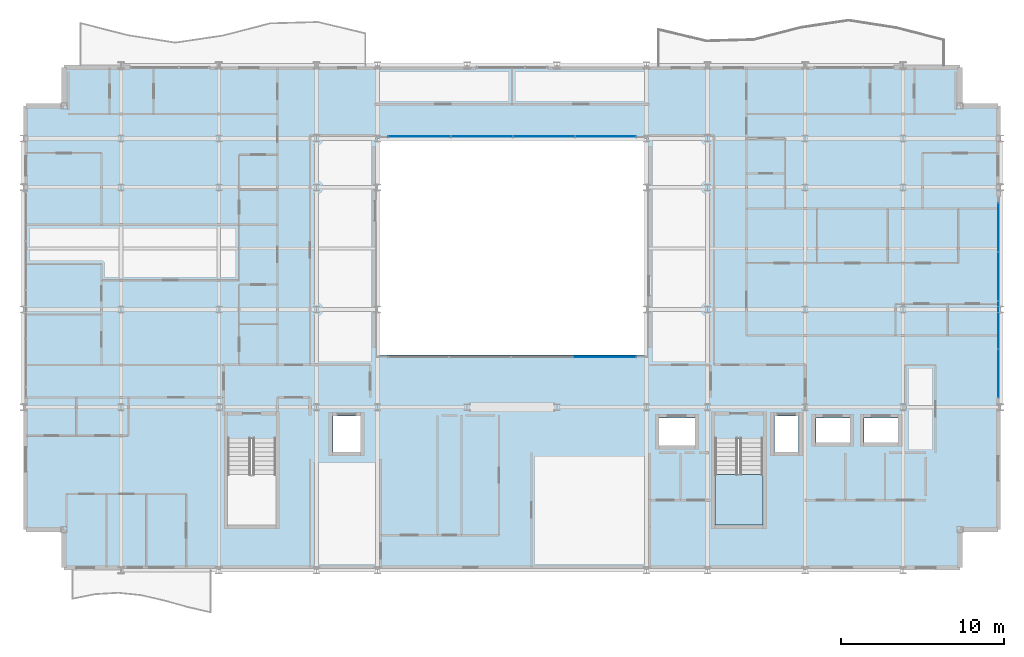
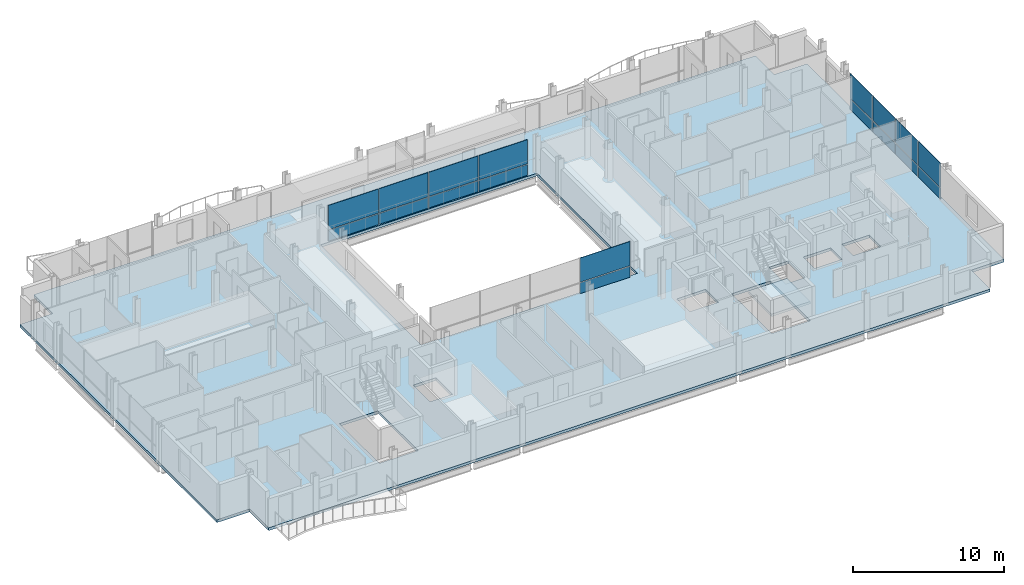
# One storey, part 29 of 41: 18 plates, 2 slabs, 4 elements without a shape of their own.
"""IFC4 building model written with IfcOpenShell, lengths in metres."""

from ifc_helpers import new_model, si_unit, direction, frame, origin, origin_2d, place, context, subcontext, project, spatial, polyline, rectangle, outline, extrude, material, layer, layer_set, type_object, element, aggregate, save


model = new_model("IFC4")

# Units and contexts
model_context = context("Model", 3, precision=1e-05, world=origin(), true_north=direction((0.0, 1.0)))
body_context = subcontext(model_context, "Body", "Model", "MODEL_VIEW")
ifc_project = project(units=[si_unit("LENGTHUNIT", "METRE"), si_unit("AREAUNIT", "SQUARE_METRE"), si_unit("VOLUMEUNIT", "CUBIC_METRE"), si_unit("PLANEANGLEUNIT", "RADIAN"), si_unit("MASSUNIT", "GRAM", prefix="KILO")], contexts=[model_context])

# Site, building, storey
site_placement = place(None, origin())
site = spatial("IfcSite", under=ifc_project, at=site_placement, CompositionType="ELEMENT")
building_placement = place(site_placement, origin())
building = spatial("IfcBuilding", under=site, at=building_placement, Name="Brevholm Reach", CompositionType="ELEMENT")
storey_placement = place(building_placement, frame((0.0, 0.0, 157.300048828125)))
storey = spatial("IfcBuildingStorey", under=building, at=storey_placement, Name="L47", CompositionType="ELEMENT", Elevation=157.300048828125)

# Curtain wall, plates
ifc_material_1 = material(Name="Dark Anodised Aluminium 6063-T6 and Solar-Control Glass", Category="aluminium")
ifc_layer_1 = layer(ifc_material_1, 0.14990234375)
ifc_layer_set_1 = layer_set([ifc_layer_1], Name="Dark Anodised Aluminium 6063-T6 and Solar-Control Glass")
curtain_wall_type_1 = type_object("IfcCurtainWallType", Name="CW-01", PredefinedType="NOTDEFINED", material=ifc_layer_set_1)
curtain_wall_1_placement = place(storey_placement, origin())
curtain_wall_1 = element("IfcCurtainWall", 1, at=curtain_wall_1_placement, inside=storey, type_object=curtain_wall_type_1, Name="L47 Curtain Wall CW-01", PredefinedType="NOTDEFINED")
ifc_material_2 = material(Name="Dark Solar-Control Double-Glazed IGU Glass", Category="glass")
ifc_layer_2 = layer(ifc_material_2, 0.028076171875)
ifc_layer_set_2 = layer_set([ifc_layer_2], Name="Dark Solar-Control Double-Glazed IGU Glass")
plate_type_1 = type_object("IfcPlateType", Name="CWP-GLZ-28", PredefinedType="CURTAIN_PANEL", material=ifc_layer_set_2)
plate_1_placement = place(storey_placement, frame((59.85009765625, 12.066162109375, 0.0), z_axis=(0.0, 0.0, 1.0), x_axis=(0.0, 1.0, 0.0)))
plate_1 = element("IfcPlate", 2, at=plate_1_placement, type_object=plate_type_1, Name="CP-01 Glazing Panel 1.1", PredefinedType="CURTAIN_PANEL", context=body_context, shape_type="SweptSolid", body=[
    extrude(rectangle(XDim=2.902587890625, YDim=0.028076171875, at=origin_2d()), origin(), (0.0, 0.0, 1.0), 0.867431640625),
])
plate_2_placement = place(storey_placement, frame((59.85009765625, 12.066162109375, 0.9326171875), z_axis=(0.0, 0.0, 1.0), x_axis=(0.0, 1.0, 0.0)))
plate_2 = element("IfcPlate", 3, at=plate_2_placement, type_object=plate_type_1, Name="CP-01 Glazing Panel 1.2", PredefinedType="CURTAIN_PANEL", context=body_context, shape_type="SweptSolid", body=[
    extrude(rectangle(XDim=2.902587890625, YDim=0.028076171875, at=origin_2d()), origin(), (0.0, 0.0, 1.0), 1.947509765625),
])
plate_3_placement = place(storey_placement, frame((59.85009765625, 15.050048828125, 0.0), z_axis=(0.0, 0.0, 1.0), x_axis=(0.0, 1.0, 0.0)))
plate_3 = element("IfcPlate", 4, at=plate_3_placement, type_object=plate_type_1, Name="CP-01 Glazing Panel 2.1", PredefinedType="CURTAIN_PANEL", context=body_context, shape_type="SweptSolid", body=[
    extrude(rectangle(XDim=2.93505859375, YDim=0.028076171875, at=origin_2d()), origin(), (0.0, 0.0, 1.0), 0.867431640625),
])
plate_4_placement = place(storey_placement, frame((59.85009765625, 15.050048828125, 0.9326171875), z_axis=(0.0, 0.0, 1.0), x_axis=(0.0, 1.0, 0.0)))
plate_4 = element("IfcPlate", 5, at=plate_4_placement, type_object=plate_type_1, Name="CP-01 Glazing Panel 2.2", PredefinedType="CURTAIN_PANEL", context=body_context, shape_type="SweptSolid", body=[
    extrude(rectangle(XDim=2.93505859375, YDim=0.028076171875, at=origin_2d()), origin(), (0.0, 0.0, 1.0), 1.947509765625),
])
plate_5_placement = place(storey_placement, frame((59.85009765625, 18.050048828125, 0.0), z_axis=(0.0, 0.0, 1.0), x_axis=(0.0, 1.0, 0.0)))
plate_5 = element("IfcPlate", 6, at=plate_5_placement, type_object=plate_type_1, Name="CP-01 Glazing Panel 3.1", PredefinedType="CURTAIN_PANEL", context=body_context, shape_type="SweptSolid", body=[
    extrude(rectangle(XDim=2.93505859375, YDim=0.028076171875, at=origin_2d()), origin(), (0.0, 0.0, 1.0), 0.867431640625),
])
plate_6_placement = place(storey_placement, frame((59.85009765625, 18.050048828125, 0.9326171875), z_axis=(0.0, 0.0, 1.0), x_axis=(0.0, 1.0, 0.0)))
plate_6 = element("IfcPlate", 7, at=plate_6_placement, type_object=plate_type_1, Name="CP-01 Glazing Panel 3.2", PredefinedType="CURTAIN_PANEL", context=body_context, shape_type="SweptSolid", body=[
    extrude(rectangle(XDim=2.93505859375, YDim=0.028076171875, at=origin_2d()), origin(), (0.0, 0.0, 1.0), 1.947509765625),
])
plate_7_placement = place(storey_placement, frame((59.85009765625, 21.050048828125, 0.0), z_axis=(0.0, 0.0, 1.0), x_axis=(0.0, 1.0, 0.0)))
plate_7 = element("IfcPlate", 8, at=plate_7_placement, type_object=plate_type_1, Name="CP-01 Glazing Panel 4.1", PredefinedType="CURTAIN_PANEL", context=body_context, shape_type="SweptSolid", body=[
    extrude(rectangle(XDim=2.93505859375, YDim=0.028076171875, at=origin_2d()), origin(), (0.0, 0.0, 1.0), 0.867431640625),
])
plate_8_placement = place(storey_placement, frame((59.85009765625, 21.050048828125, 0.9326171875), z_axis=(0.0, 0.0, 1.0), x_axis=(0.0, 1.0, 0.0)))
plate_8 = element("IfcPlate", 9, at=plate_8_placement, type_object=plate_type_1, Name="CP-01 Glazing Panel 4.2", PredefinedType="CURTAIN_PANEL", context=body_context, shape_type="SweptSolid", body=[
    extrude(rectangle(XDim=2.93505859375, YDim=0.028076171875, at=origin_2d()), origin(), (0.0, 0.0, 1.0), 1.947509765625),
])
aggregate(curtain_wall_1, [plate_1, plate_2, plate_3, plate_4, plate_5, plate_6, plate_7, plate_8])

ifc_material_3 = material(Name="Dark Anodised Aluminium 6063-T6 and Solar-Control Glass", Category="aluminium")
ifc_layer_3 = layer(ifc_material_3, 0.139892578125)
ifc_layer_set_3 = layer_set([ifc_layer_3], Name="Dark Anodised Aluminium 6063-T6 and Solar-Control Glass")
curtain_wall_type_2 = type_object("IfcCurtainWallType", Name="CW-02", PredefinedType="NOTDEFINED", material=ifc_layer_set_3)
curtain_wall_2_placement = place(storey_placement, origin())
curtain_wall_2 = element("IfcCurtainWall", 10, at=curtain_wall_2_placement, inside=storey, type_object=curtain_wall_type_2, Name="L47 Curtain Wall CW-02", PredefinedType="NOTDEFINED")
ifc_material_4 = material(Name="Low-Iron Laminated Acoustic Glass", Category="glass")
ifc_layer_4 = layer(ifc_material_4, 0.035888671875)
ifc_layer_set_4 = layer_set([ifc_layer_4], Name="Low-Iron Laminated Acoustic Glass")
plate_type_2 = type_object("IfcPlateType", Name="CWP-GLZ-36", PredefinedType="CURTAIN_PANEL", material=ifc_layer_set_4)
plate_9_placement = place(storey_placement, frame((35.68505859375, 13.080078125, 0.0), z_axis=(0.0, 0.0, 1.0), x_axis=(1.0, 0.0, 0.0)))
plate_9 = element("IfcPlate", 11, at=plate_9_placement, type_object=plate_type_2, Name="CP-02 Glazing Panel 4.1", PredefinedType="CURTAIN_PANEL", context=body_context, shape_type="SweptSolid", body=[
    extrude(rectangle(XDim=3.81005859375, YDim=0.035888671875, at=origin_2d()), origin(), (0.0, 0.0, 1.0), 0.8701171875),
])
plate_10_placement = place(storey_placement, frame((35.68505859375, 13.080078125, 0.93017578125), z_axis=(0.0, 0.0, 1.0), x_axis=(1.0, 0.0, 0.0)))
plate_10 = element("IfcPlate", 12, at=plate_10_placement, type_object=plate_type_2, Name="CP-02 Glazing Panel 4.2", PredefinedType="CURTAIN_PANEL", context=body_context, shape_type="SweptSolid", body=[
    extrude(rectangle(XDim=3.81005859375, YDim=0.035888671875, at=origin_2d()), origin(), (0.0, 0.0, 1.0), 1.949951171875),
])
aggregate(curtain_wall_2, [plate_9, plate_10])

curtain_wall_3_placement = place(storey_placement, origin())
curtain_wall_3 = element("IfcCurtainWall", 13, at=curtain_wall_3_placement, inside=storey, type_object=curtain_wall_type_2, Name="L47 Curtain Wall CW-02", PredefinedType="NOTDEFINED")
plate_11_placement = place(storey_placement, frame((35.735107421875, 26.6201171875, 0.0), z_axis=(0.0, 0.0, 1.0), x_axis=(-1.0, 0.0, 0.0)))
plate_11 = element("IfcPlate", 14, at=plate_11_placement, type_object=plate_type_2, Name="CP-02 Glazing Panel 1.1", PredefinedType="CURTAIN_PANEL", context=body_context, shape_type="SweptSolid", body=[
    extrude(rectangle(XDim=3.7099609375, YDim=0.035888671875, at=origin_2d()), origin(), (0.0, 0.0, 1.0), 0.8701171875),
])
plate_12_placement = place(storey_placement, frame((35.735107421875, 26.6201171875, 0.93017578125), z_axis=(0.0, 0.0, 1.0), x_axis=(-1.0, 0.0, 0.0)))
plate_12 = element("IfcPlate", 15, at=plate_12_placement, type_object=plate_type_2, Name="CP-02 Glazing Panel 1.2", PredefinedType="CURTAIN_PANEL", context=body_context, shape_type="SweptSolid", body=[
    extrude(rectangle(XDim=3.7099609375, YDim=0.035888671875, at=origin_2d()), origin(), (0.0, 0.0, 1.0), 1.949951171875),
])
plate_13_placement = place(storey_placement, frame((31.949951171875, 26.6201171875, 0.0), z_axis=(0.0, 0.0, 1.0), x_axis=(-1.0, 0.0, 0.0)))
plate_13 = element("IfcPlate", 16, at=plate_13_placement, type_object=plate_type_2, Name="CP-02 Glazing Panel 2.1", PredefinedType="CURTAIN_PANEL", context=body_context, shape_type="SweptSolid", body=[
    extrude(rectangle(XDim=3.739990234375, YDim=0.035888671875, at=origin_2d()), origin(), (0.0, 0.0, 1.0), 0.8701171875),
])
plate_14_placement = place(storey_placement, frame((31.949951171875, 26.6201171875, 0.93017578125), z_axis=(0.0, 0.0, 1.0), x_axis=(-1.0, 0.0, 0.0)))
plate_14 = element("IfcPlate", 17, at=plate_14_placement, type_object=plate_type_2, Name="CP-02 Glazing Panel 2.2", PredefinedType="CURTAIN_PANEL", context=body_context, shape_type="SweptSolid", body=[
    extrude(rectangle(XDim=3.739990234375, YDim=0.035888671875, at=origin_2d()), origin(), (0.0, 0.0, 1.0), 1.949951171875),
])
plate_15_placement = place(storey_placement, frame((28.14990234375, 26.6201171875, 0.0), z_axis=(0.0, 0.0, 1.0), x_axis=(-1.0, 0.0, 0.0)))
plate_15 = element("IfcPlate", 18, at=plate_15_placement, type_object=plate_type_2, Name="CP-02 Glazing Panel 3.1", PredefinedType="CURTAIN_PANEL", context=body_context, shape_type="SweptSolid", body=[
    extrude(rectangle(XDim=3.739990234375, YDim=0.035888671875, at=origin_2d()), origin(), (0.0, 0.0, 1.0), 0.8701171875),
])
plate_16_placement = place(storey_placement, frame((28.14990234375, 26.6201171875, 0.93017578125), z_axis=(0.0, 0.0, 1.0), x_axis=(-1.0, 0.0, 0.0)))
plate_16 = element("IfcPlate", 19, at=plate_16_placement, type_object=plate_type_2, Name="CP-02 Glazing Panel 3.2", PredefinedType="CURTAIN_PANEL", context=body_context, shape_type="SweptSolid", body=[
    extrude(rectangle(XDim=3.739990234375, YDim=0.035888671875, at=origin_2d()), origin(), (0.0, 0.0, 1.0), 1.949951171875),
])
plate_17_placement = place(storey_placement, frame((24.31494140625, 26.6201171875, 0.0), z_axis=(0.0, 0.0, 1.0), x_axis=(-1.0, 0.0, 0.0)))
plate_17 = element("IfcPlate", 20, at=plate_17_placement, type_object=plate_type_2, Name="CP-02 Glazing Panel 4.1", PredefinedType="CURTAIN_PANEL", context=body_context, shape_type="SweptSolid", body=[
    extrude(rectangle(XDim=3.81005859375, YDim=0.035888671875, at=origin_2d()), origin(), (0.0, 0.0, 1.0), 0.8701171875),
])
plate_18_placement = place(storey_placement, frame((24.31494140625, 26.6201171875, 0.93017578125), z_axis=(0.0, 0.0, 1.0), x_axis=(-1.0, 0.0, 0.0)))
plate_18 = element("IfcPlate", 21, at=plate_18_placement, type_object=plate_type_2, Name="CP-02 Glazing Panel 4.2", PredefinedType="CURTAIN_PANEL", context=body_context, shape_type="SweptSolid", body=[
    extrude(rectangle(XDim=3.81005859375, YDim=0.035888671875, at=origin_2d()), origin(), (0.0, 0.0, 1.0), 1.949951171875),
])
aggregate(curtain_wall_3, [plate_11, plate_12, plate_13, plate_14, plate_15, plate_16, plate_17, plate_18])

# Slab
ifc_material_5 = material(Name="Concrete C40/50", Category="concrete")
ifc_layer_5 = layer(ifc_material_5, 0.219970703125)
ifc_layer_set_5 = layer_set([ifc_layer_5], Name="Concrete C40/50")
slab_type_1 = type_object("IfcSlabType", Name="SLB-FL-220", PredefinedType="FLOOR", material=ifc_layer_set_5)
slab_1_placement = place(storey_placement, frame((0.0, 0.0, -0.219970703125)))
element("IfcSlab", 22, at=slab_1_placement, inside=storey, type_object=slab_type_1, Name="L47 Suspended Floor Slab (main)", PredefinedType="FLOOR", context=body_context, shape_type="SweptSolid", body=[
    extrude(outline(polyline([(2.5, 0.0), (57.5, 0.0), (57.5, 2.5), (60.0, 2.5), (60.0, 28.5), (57.5, 28.5), (57.5, 31.0), (2.5, 31.0), (2.5, 28.5), (0.0, 28.5), (0.0, 2.5), (2.5, 2.5), (2.5, 0.0)]), holes=[polyline([(21.75, 13.199951171875), (38.25, 13.199951171875), (38.25, 26.5), (21.75, 26.5), (21.75, 13.199951171875)]), polyline([(12.550048828125, 2.780029296875), (15.5, 2.780029296875), (15.5, 8.044921875), (12.550048828125, 8.044921875), (12.550048828125, 2.780029296875)]), polyline([(42.449951171875, 2.780029296875), (45.39990234375, 2.780029296875), (45.39990234375, 8.044921875), (42.449951171875, 8.044921875), (42.449951171875, 2.780029296875)]), polyline([(19.0, 7.25), (20.699951171875, 7.25), (20.699951171875, 9.449951171875), (19.0, 9.449951171875), (19.0, 7.25)]), polyline([(46.10009765625, 7.25), (47.60009765625, 7.25), (47.60009765625, 9.449951171875), (46.10009765625, 9.449951171875), (46.10009765625, 7.25)]), polyline([(39.02001953125, 7.64990234375), (41.219970703125, 7.64990234375), (41.219970703125, 9.35009765625), (39.02001953125, 9.35009765625), (39.02001953125, 7.64990234375)]), polyline([(48.64990234375, 7.85009765625), (50.75, 7.85009765625), (50.75, 9.35009765625), (48.64990234375, 9.35009765625), (48.64990234375, 7.85009765625)]), polyline([(51.60009765625, 7.85009765625), (53.699951171875, 7.85009765625), (53.699951171875, 9.35009765625), (51.60009765625, 9.35009765625), (51.60009765625, 7.85009765625)])]), origin(), (0.0, 0.0, 1.0), 0.219970703125),
])

# Stair, slab
ifc_material_6 = material(Name="Precast Concrete C40/50", Category="concrete")
stair_type = type_object("IfcStairType", Name="STR-ESC-1400", PredefinedType="DOUBLE_RETURN_STAIR", material=ifc_material_6)
stair_placement = place(storey_placement, origin())
stair = element("IfcStair", 23, at=stair_placement, inside=storey, type_object=stair_type, Name="L47 ST-2", PredefinedType="DOUBLE_RETURN_STAIR")
ifc_material_7 = material(Name="Concrete C40/50", Category="concrete")
ifc_layer_6 = layer(ifc_material_7, 0.199951171875)
ifc_layer_set_6 = layer_set([ifc_layer_6], Name="Concrete C40/50")
slab_type_2 = type_object("IfcSlabType", Name="SLB-LND-200", PredefinedType="LANDING", material=ifc_layer_set_6)
slab_2_placement = place(storey_placement, frame((0.0, 0.0, 1.349853515625)))
slab_2 = element("IfcSlab", 24, at=slab_2_placement, type_object=slab_type_2, Name="ST-2 landing 1", PredefinedType="LANDING", context=body_context, shape_type="SweptSolid", body=[
    extrude(outline(polyline([(42.449951171875, 5.860107421875), (42.449951171875, 2.780029296875), (45.39990234375, 2.780029296875), (45.39990234375, 5.860107421875), (42.449951171875, 5.860107421875)])), origin(), (0.0, 0.0, 1.0), 0.2001953125),
])
aggregate(stair, [slab_2])

save(model, "model.ifc")
